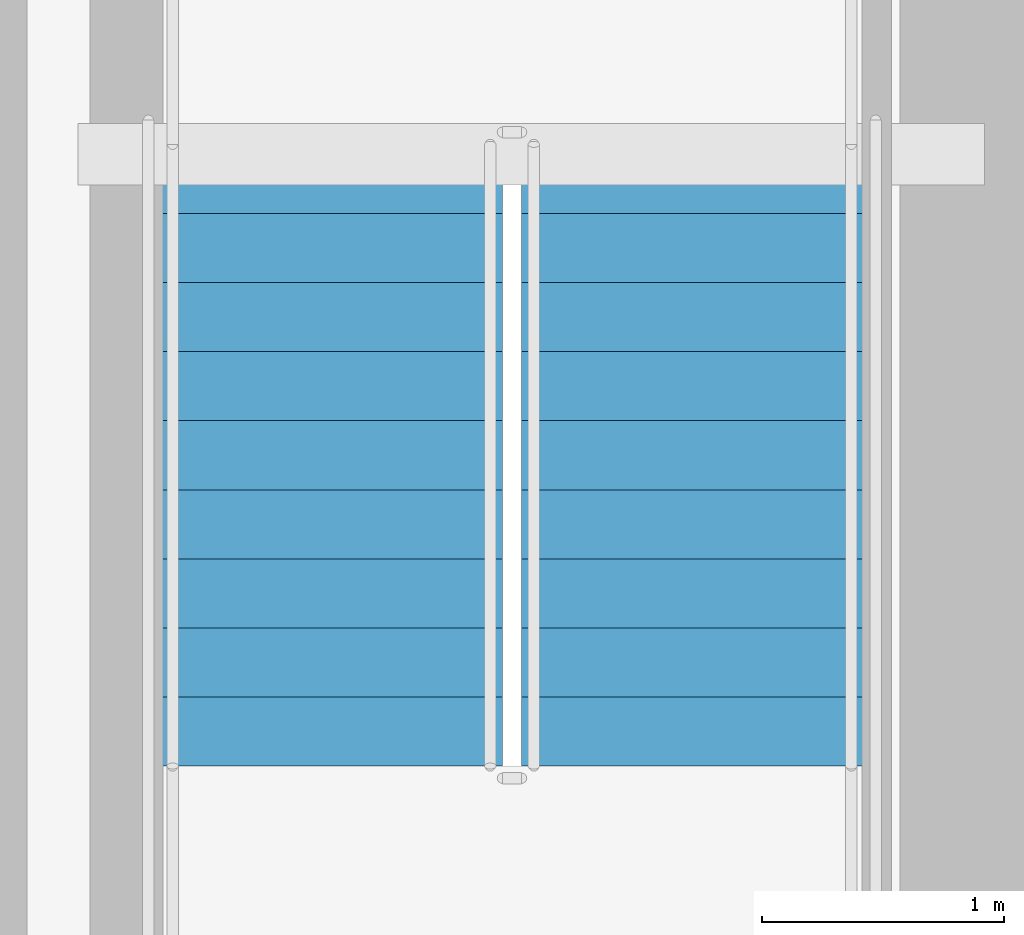
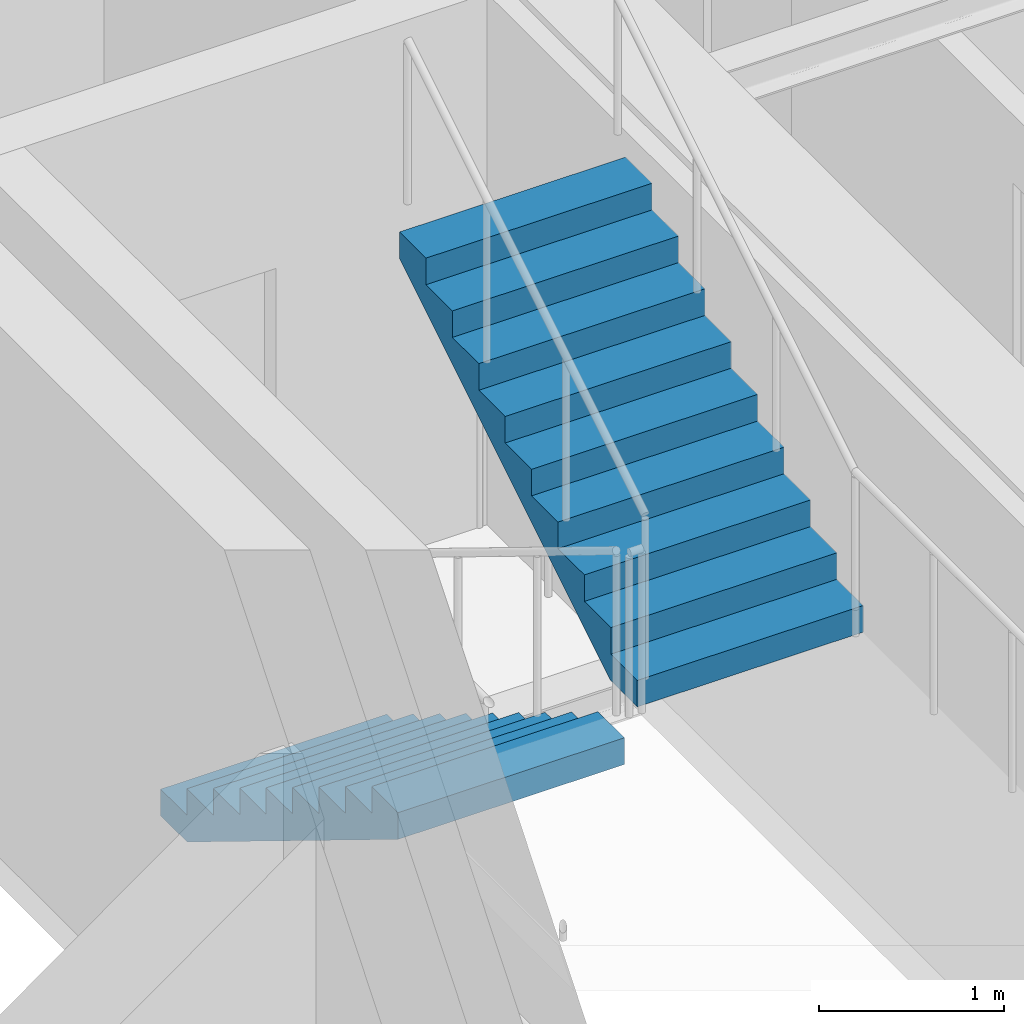
# One storey, part 22 of 26: 2 stair flights, 1 element without a shape of its own.
"""IFC4 building model written with IfcOpenShell, lengths in metres."""

import ifcopenshell
import ifcopenshell.guid

model = None  # the IFC model being written
_history = None  # IfcOwnerHistory: only IFC2X3 demands one
_inside = {}  # id of a spatial element -> (the spatial element, [elements in it])
_under = {}  # id of a project, library or spatial element -> (it, [spatial elements below it])
_declared = {}  # id of a project -> (the project, [libraries it declares])
_typed = {}  # id of a type object -> (the type object, [elements of that type])
_made_of = {}  # id of a material, layer set ... -> (it, [elements and type objects made of it])


def new_model(schema):
    """Start an empty IFC model of exactly this schema.

    Asked for "IFC4X3", IfcOpenShell would pick the latest addendum, in which some entities
    have other attributes; the version numbers below select the first issue.
    IFC2X3 requires an IfcOwnerHistory on every rooted entity: one is made here for all.
    """
    global model, _history
    if schema == "IFC4X3":
        model = ifcopenshell.file(schema_version=(4, 3, 0, 0))
    else:
        model = ifcopenshell.file(schema=schema)
    _inside.clear()
    _under.clear()
    _declared.clear()
    _typed.clear()
    _made_of.clear()
    _history = None
    if model.schema == "IFC2X3":
        org = make("IfcOrganization", Name="unknown")
        user = make(
            "IfcPersonAndOrganization",
            ThePerson=make("IfcPerson", FamilyName="unknown"),
            TheOrganization=org,
        )
        app = make(
            "IfcApplication",
            ApplicationDeveloper=org,
            Version="unknown",
            ApplicationFullName="unknown",
            ApplicationIdentifier="unknown",
        )
        _history = make(
            "IfcOwnerHistory",
            OwningUser=user,
            OwningApplication=app,
            ChangeAction="ADDED",
            CreationDate=0,
        )
    return model


def make(cls, **values):
    """One entity of the class cls with the attributes given. An attribute that is None is left unset."""
    return model.create_entity(
        cls, **{name: value for name, value in values.items() if value is not None}
    )


def rooted(cls, **values):
    """An entity with a GlobalId (a new one), such as an element, a storey or a relation."""
    return make(cls, GlobalId=ifcopenshell.guid.new(), OwnerHistory=_history, **values)


def si_unit(unit_type, name, prefix=None):
    """IfcSIUnit, for example si_unit("LENGTHUNIT", "METRE", prefix="MILLI")."""
    return make("IfcSIUnit", UnitType=unit_type, Prefix=prefix, Name=name)


def assignment(units):
    """IfcUnitAssignment: the units of a project."""
    return None if units is None else make("IfcUnitAssignment", Units=units)


def point(xyz):
    """IfcCartesianPoint."""
    return None if xyz is None else make("IfcCartesianPoint", Coordinates=xyz)


def direction(xyz):
    """IfcDirection."""
    return None if xyz is None else make("IfcDirection", DirectionRatios=xyz)


def frame(location, z_axis=None, x_axis=None):
    """IfcAxis2Placement3D, a coordinate frame: its origin and axes. An axis left out is left unset."""
    return make(
        "IfcAxis2Placement3D",
        Location=point(location),
        Axis=direction(z_axis),
        RefDirection=direction(x_axis),
    )


def origin():
    """The frame at (0, 0, 0) with its axes left unset."""
    return frame((0.0, 0.0, 0.0))


def place(relative_to, where):
    """IfcLocalPlacement: puts the frame where relative to a parent placement (None: the world)."""
    return make(
        "IfcLocalPlacement", PlacementRelTo=relative_to, RelativePlacement=where
    )


def context(
    kind, dimensions, precision=None, world=None, true_north=None, identifier=None
):
    """IfcGeometricRepresentationContext, for example the 3D "Model" context."""
    return make(
        "IfcGeometricRepresentationContext",
        ContextIdentifier=identifier,
        ContextType=kind,
        CoordinateSpaceDimension=dimensions,
        Precision=precision,
        WorldCoordinateSystem=world,
        TrueNorth=true_north,
    )


def subcontext(parent, identifier, kind, view, scale=None):
    """IfcGeometricRepresentationSubContext, for example "Body" below "Model"."""
    return make(
        "IfcGeometricRepresentationSubContext",
        ContextIdentifier=identifier,
        ContextType=kind,
        ParentContext=parent,
        TargetScale=scale,
        TargetView=view,
    )


def project(units=None, contexts=None):
    """IfcProject with its units and contexts."""
    return rooted(
        "IfcProject",
        Name="project",
        RepresentationContexts=contexts,
        UnitsInContext=assignment(units),
    )


def spatial(cls, under=None, at=None, **own):
    """A site, building, storey or space (cls), placed at a placement, below another one or the project."""
    s = rooted(cls, ObjectPlacement=at, **own)
    if under is not None:
        _under.setdefault(under.id(), (under, []))[1].append(s)
    return s


def polyline(points):
    """IfcPolyline through the points."""
    return make("IfcPolyline", Points=[point(p) for p in points])


def outline(outer, holes=None, kind="AREA"):
    """IfcArbitraryClosedProfileDef: a profile drawn as a closed curve; with holes, ...WithVoids."""
    if holes is None:
        return make("IfcArbitraryClosedProfileDef", ProfileType=kind, OuterCurve=outer)
    return make(
        "IfcArbitraryProfileDefWithVoids",
        ProfileType=kind,
        OuterCurve=outer,
        InnerCurves=holes,
    )


def extrude(swept, where, along, depth):
    """IfcExtrudedAreaSolid: the profile swept, set in the frame where, extruded along a direction by depth."""
    return make(
        "IfcExtrudedAreaSolid",
        SweptArea=swept,
        Position=where,
        ExtrudedDirection=direction(along),
        Depth=depth,
    )


def shape(context_of_items, identifier, shape_type, items):
    """IfcShapeRepresentation: the items that make up one representation, for example the "Body"."""
    return make(
        "IfcShapeRepresentation",
        ContextOfItems=context_of_items,
        RepresentationIdentifier=identifier,
        RepresentationType=shape_type,
        Items=items,
    )


def material(Name=None, Category=None):
    """IfcMaterial."""
    return make("IfcMaterial", Name=Name, Category=Category)


def made_of(thing, what):
    """Note that an element or type object is made of a material, layer set ...; save() writes the relation."""
    if what is not None:
        _made_of.setdefault(what.id(), (what, []))[1].append(thing)
    return thing


def type_object(cls, material=None, **own):
    """A type object (cls), such as IfcWallType, which elements share."""
    return made_of(rooted(cls, **own), material)


def element(
    cls,
    number,
    at=None,
    inside=None,
    cuts=None,
    type_object=None,
    material=None,
    context=None,
    identifier="Body",
    shape_type=None,
    held_by="IfcProductDefinitionShape",
    body=None,
    shapes=None,
    **own,
):
    """One element of the class cls, such as IfcWall. Its Tag is "e" and its number.

    at: its placement. inside: the storey or other place that contains it. cuts: it is an
    opening in that element (IfcRelVoidsElement). A single representation is given by context,
    identifier, shape_type and body (its items); several are given by shapes. held_by: the class
    of the entity that holds the representations. save() writes the other relations.
    """
    e = rooted(cls, Tag="e%d" % number, ObjectPlacement=at, **own)
    if body is not None:
        shapes = [shape(context, identifier, shape_type, body)]
    if shapes is not None:
        e.Representation = make(held_by, Representations=shapes)
    if inside is not None:
        _inside.setdefault(inside.id(), (inside, []))[1].append(e)
    if cuts is not None:
        rooted(
            "IfcRelVoidsElement", RelatingBuildingElement=cuts, RelatedOpeningElement=e
        )
    if type_object is not None:
        _typed.setdefault(type_object.id(), (type_object, []))[1].append(e)
    return made_of(e, material)


def aggregate(whole, parts):
    """IfcRelAggregates: a whole, such as a stair, and the parts it consists of."""
    return rooted("IfcRelAggregates", RelatingObject=whole, RelatedObjects=parts)


def save(model, path):
    """Write the relations noted so far, then the file.

    IfcRelAggregates (storeys below a building ...), IfcRelContainedInSpatialStructure (elements
    in a storey), IfcRelDefinesByType, IfcRelAssociatesMaterial and IfcRelDeclares: one each for
    every whole, place, type object, material and project.
    """
    for whole, parts in _under.values():
        aggregate(whole, parts)
    for where, things in _inside.values():
        rooted(
            "IfcRelContainedInSpatialStructure",
            RelatedElements=things,
            RelatingStructure=where,
        )
    for kind, things in _typed.values():
        rooted("IfcRelDefinesByType", RelatedObjects=things, RelatingType=kind)
    for what, things in _made_of.values():
        rooted("IfcRelAssociatesMaterial", RelatedObjects=things, RelatingMaterial=what)
    for by, libraries in _declared.values():
        rooted("IfcRelDeclares", RelatingContext=by, RelatedDefinitions=libraries)
    model.write(path)


model = new_model("IFC4")

# Units and contexts
model_context = context("Model", 3, precision=1e-05, world=origin(), true_north=direction((0.0, 1.0)))
body_context = subcontext(model_context, "Body", "Model", "MODEL_VIEW")
ifc_project = project(units=[si_unit("LENGTHUNIT", "METRE"), si_unit("AREAUNIT", "SQUARE_METRE"), si_unit("VOLUMEUNIT", "CUBIC_METRE"), si_unit("PLANEANGLEUNIT", "RADIAN"), si_unit("MASSUNIT", "GRAM", prefix="KILO")], contexts=[model_context])

# Site, building, storey
site_placement = place(None, origin())
site = spatial("IfcSite", under=ifc_project, at=site_placement, CompositionType="ELEMENT")
building_placement = place(site_placement, origin())
building = spatial("IfcBuilding", under=site, at=building_placement, Name="Bramvorn Convention Spire", CompositionType="ELEMENT")
storey_placement = place(building_placement, frame((0.0, 0.0, 51.89990234375)))
storey = spatial("IfcBuildingStorey", under=building, at=storey_placement, Name="L10", CompositionType="ELEMENT", Elevation=51.89990234375)

# Stair, stair flights
ifc_material_1 = material(Name="Concrete C40/50 Precast Stair", Category="concrete")
stair_type = type_object("IfcStairType", Name="ST-TOWER-1550", PredefinedType="HALF_TURN_STAIR", material=ifc_material_1)
stair_placement = place(storey_placement, origin())
stair = element("IfcStair", 1, at=stair_placement, inside=storey, type_object=stair_type, Name="L10 Protected Exit Stair ST2", PredefinedType="HALF_TURN_STAIR")
ifc_material_2 = material(Name="Concrete C40/50 Precast Stair Flight", Category="concrete")
stair_flight_type = type_object("IfcStairFlightType", Name="STF-TOWER-1550", PredefinedType="STRAIGHT", material=ifc_material_2)
stair_flight_1_placement = place(storey_placement, frame((46.35498046875, 25.050048828125, 0.0), z_axis=(0.0, 0.0, 1.0), x_axis=(0.0, -1.0, 0.0)))
stair_flight_1 = element("IfcStairFlight", 2, at=stair_flight_1_placement, type_object=stair_flight_type, Name="ST2 flight 1", NumberOfRisers=10, NumberOfTreads=9, PredefinedType="STRAIGHT", RiserHeight=0.175, TreadLength=0.285, context=body_context, shape_type="SweptSolid", body=[
    extrude(outline(polyline([(0.0, 0.0), (0.0, 0.175048828125), (0.284912109375, 0.175048828125), (0.284912109375, 0.35009765625), (0.570068359375, 0.35009765625), (0.570068359375, 0.52490234375), (0.85498046875, 0.52490234375), (0.85498046875, 0.699951171875), (1.139892578125, 0.699951171875), (1.139892578125, 0.875), (1.425048828125, 0.875), (1.425048828125, 1.050048828125), (1.7099609375, 1.050048828125), (1.7099609375, 1.22509765625), (1.9951171875, 1.22509765625), (1.9951171875, 1.39990234375), (2.280029296875, 1.39990234375), (2.280029296875, 1.574951171875), (2.56494140625, 1.574951171875), (2.56494140625, 1.75), (2.56494140625, 1.399169921875), (0.286376953125, 0.0), (0.0, 0.0)])), frame((0.0, 0.705078125, 0.0), z_axis=(0.0, -1.0, 0.0), x_axis=(1.0, 0.0, 0.0)), (0.0, 0.0, 1.0), 1.409912109375),
])
stair_flight_2_placement = place(storey_placement, frame((47.844970703125, 22.485107421875, 1.75), z_axis=(0.0, 0.0, 1.0), x_axis=(0.0, 1.0, 0.0)))
stair_flight_2 = element("IfcStairFlight", 3, at=stair_flight_2_placement, type_object=stair_flight_type, Name="ST2 flight 2", NumberOfRisers=10, NumberOfTreads=9, PredefinedType="STRAIGHT", RiserHeight=0.175, TreadLength=0.285, context=body_context, shape_type="SweptSolid", body=[
    extrude(outline(polyline([(0.0, 0.0), (0.0, 0.175048828125), (0.284912109375, 0.175048828125), (0.284912109375, 0.35009765625), (0.570068359375, 0.35009765625), (0.570068359375, 0.52490234375), (0.85498046875, 0.52490234375), (0.85498046875, 0.699951171875), (1.139892578125, 0.699951171875), (1.139892578125, 0.875), (1.425048828125, 0.875), (1.425048828125, 1.050048828125), (1.7099609375, 1.050048828125), (1.7099609375, 1.22509765625), (1.9951171875, 1.22509765625), (1.9951171875, 1.39990234375), (2.280029296875, 1.39990234375), (2.280029296875, 1.574951171875), (2.56494140625, 1.574951171875), (2.56494140625, 1.75), (2.56494140625, 1.399169921875), (0.286376953125, 0.0), (0.0, 0.0)])), frame((0.0, 0.705078125, 0.0), z_axis=(0.0, -1.0, 0.0), x_axis=(1.0, 0.0, 0.0)), (0.0, 0.0, 1.0), 1.409912109375),
])
aggregate(stair, [stair_flight_1, stair_flight_2])

save(model, "model.ifc")
